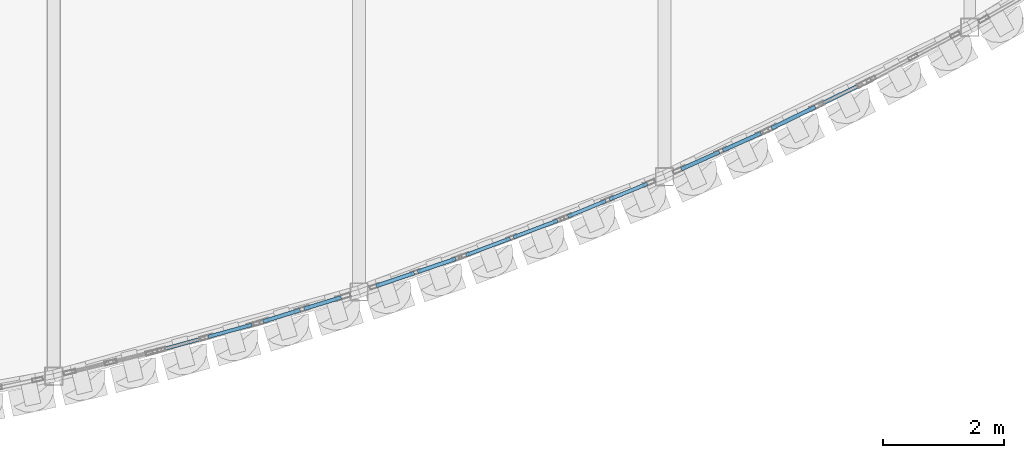
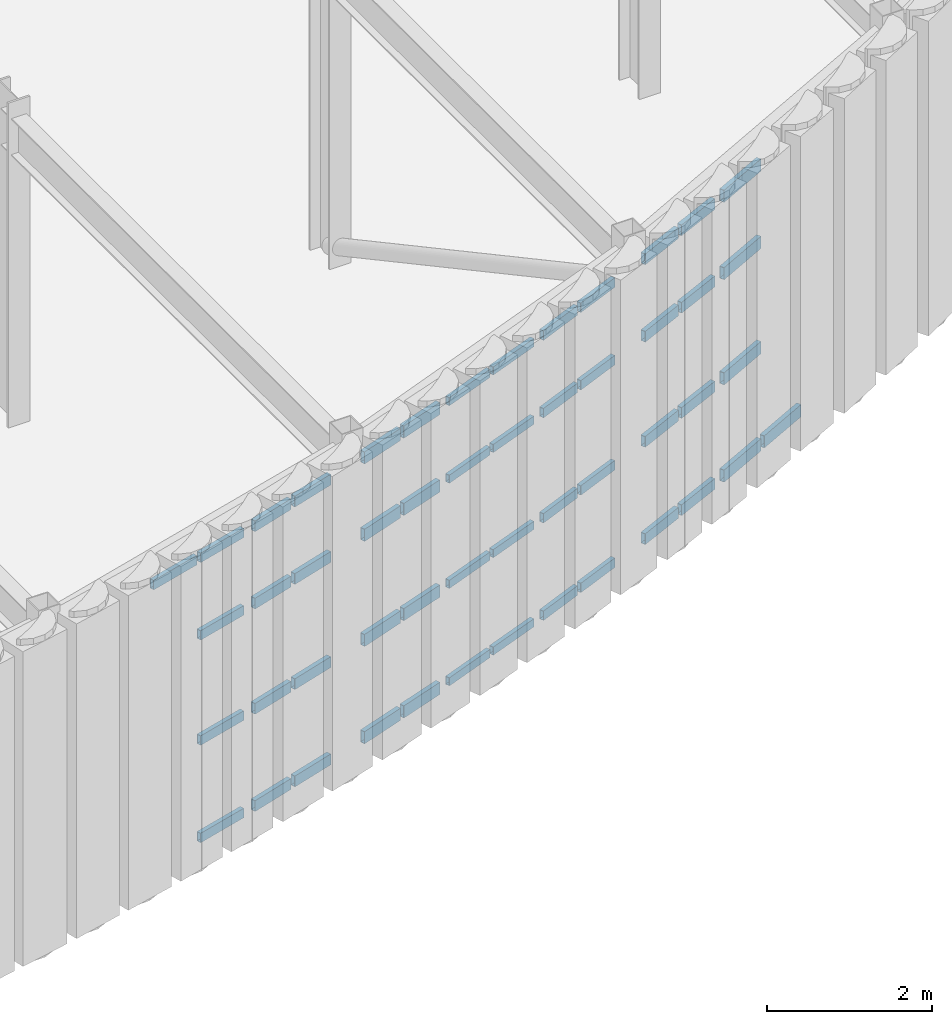
# One storey, part 71 of 121: 50 members, 7 elements without a shape of their own.
"""IFC4 building model written with IfcOpenShell, lengths in metres."""

from ifc_helpers import new_model, si_unit, direction, frame, origin, origin_2d, place, context, subcontext, project, spatial, hollow_rectangle, extrude, material, layer, layer_set, material_profile, profile_set, type_object, element, aggregate, save


model = new_model("IFC4")

# Units and contexts
model_context = context("Model", 3, precision=1e-05, world=origin(), true_north=direction((0.0, 1.0)))
body_context = subcontext(model_context, "Body", "Model", "MODEL_VIEW")
ifc_project = project(units=[si_unit("LENGTHUNIT", "METRE"), si_unit("AREAUNIT", "SQUARE_METRE"), si_unit("VOLUMEUNIT", "CUBIC_METRE"), si_unit("PLANEANGLEUNIT", "RADIAN"), si_unit("MASSUNIT", "GRAM", prefix="KILO")], contexts=[model_context])

# Site, building, storey
site_placement = place(None, origin())
site = spatial("IfcSite", under=ifc_project, at=site_placement, CompositionType="ELEMENT")
building_placement = place(site_placement, origin())
building = spatial("IfcBuilding", under=site, at=building_placement, Name="Solvadek Multi-Sports Hall", CompositionType="ELEMENT")
storey_placement = place(building_placement, frame((0.0, 0.0, 4.800048828125)))
storey = spatial("IfcBuildingStorey", under=building, at=storey_placement, Name="L01", CompositionType="ELEMENT", Elevation=4.800048828125)

# Curtain wall, members
ifc_material = material(Name="Anodised aluminium", Category="aluminium")
ifc_layer_1 = layer(ifc_material, 0.159912109375, Name="Anodised aluminium")
ifc_layer_set_1 = layer_set([ifc_layer_1], Name="Anodised aluminium")
curtain_wall_type_1 = type_object("IfcCurtainWallType", Name="ENV-CW-174X420", PredefinedType="USERDEFINED", material=ifc_layer_set_1)
curtain_wall_1_placement = place(storey_placement, origin())
curtain_wall_1 = element("IfcCurtainWall", 1, at=curtain_wall_1_placement, inside=storey, type_object=curtain_wall_type_1, Name="L01 Crescent Curved Curtain Wall #87", ObjectType="CURTAIN WALL", PredefinedType="USERDEFINED")
ifc_material_profile_1 = material_profile(ifc_material, hollow_rectangle(XDim=0.06005859375, YDim=0.1201171875, WallThickness=0.00390625, at=origin_2d()), Name="ALU-T 120x60x4")
ifc_profile_set_1 = profile_set([ifc_material_profile_1], Name="Anodised aluminium")
member_type_1 = type_object("IfcMemberType", Name="ENV-CWT-01", PredefinedType="USERDEFINED", material=ifc_profile_set_1)
member_1_placement = place(storey_placement, frame((113.3642578125, -9.739990234375, 0.030029296875), z_axis=(0.935799179409, 0.35253353857, 0.0), x_axis=(-0.35253353857, 0.935799179409, 0.0)))
member_1 = element("IfcMember", 2, at=member_1_placement, type_object=member_type_1, Name="CW-12 transom 1.1", ObjectType="TRANSOM", PredefinedType="USERDEFINED", context=body_context, shape_type="SweptSolid", body=[
    extrude(hollow_rectangle(XDim=0.06005859375, YDim=0.1201171875, WallThickness=0.00390625, at=origin_2d()), origin(), (0.0, 0.0, 1.0), 0.77783203125),
])
member_2_placement = place(storey_placement, frame((113.3642578125, -9.739990234375, 1.469970703125), z_axis=(0.935799179409, 0.35253353857, 0.0), x_axis=(-0.35253353857, 0.935799179409, 0.0)))
member_2 = element("IfcMember", 3, at=member_2_placement, type_object=member_type_1, Name="CW-12 transom 1.2", ObjectType="TRANSOM", PredefinedType="USERDEFINED", context=body_context, shape_type="SweptSolid", body=[
    extrude(hollow_rectangle(XDim=0.06005859375, YDim=0.1201171875, WallThickness=0.00390625, at=origin_2d()), origin(), (0.0, 0.0, 1.0), 0.77783203125),
])
member_3_placement = place(storey_placement, frame((113.3642578125, -9.739990234375, 3.02392578125), z_axis=(0.935799179409, 0.35253353857, 0.0), x_axis=(-0.35253353857, 0.935799179409, 0.0)))
member_3 = element("IfcMember", 4, at=member_3_placement, type_object=member_type_1, Name="CW-12 transom 1.3", ObjectType="TRANSOM", PredefinedType="USERDEFINED", context=body_context, shape_type="SweptSolid", body=[
    extrude(hollow_rectangle(XDim=0.06005859375, YDim=0.1201171875, WallThickness=0.00390625, at=origin_2d()), origin(), (0.0, 0.0, 1.0), 0.77783203125),
])
member_4_placement = place(storey_placement, frame((113.3642578125, -9.739990234375, 4.169921875), z_axis=(0.935799179409, 0.35253353857, 0.0), x_axis=(-0.35253353857, 0.935799179409, 0.0)))
member_4 = element("IfcMember", 5, at=member_4_placement, type_object=member_type_1, Name="CW-12 transom 1.4", ObjectType="TRANSOM", PredefinedType="USERDEFINED", context=body_context, shape_type="SweptSolid", body=[
    extrude(hollow_rectangle(XDim=0.06005859375, YDim=0.1201171875, WallThickness=0.00390625, at=origin_2d()), origin(), (0.0, 0.0, 1.0), 0.77783203125),
])
member_5_placement = place(storey_placement, frame((114.148193359375, -9.444580078125, 0.030029296875), z_axis=(0.935760148114, 0.352637129642, 0.0), x_axis=(-0.352637129642, 0.935760148114, 0.0)))
member_5 = element("IfcMember", 6, at=member_5_placement, type_object=member_type_1, Name="CW-12 transom 2.1", ObjectType="TRANSOM", PredefinedType="USERDEFINED", context=body_context, shape_type="SweptSolid", body=[
    extrude(hollow_rectangle(XDim=0.06005859375, YDim=0.1201171875, WallThickness=0.00390625, at=origin_2d()), origin(), (0.0, 0.0, 1.0), 0.777587890625),
])
member_6_placement = place(storey_placement, frame((114.148193359375, -9.444580078125, 1.469970703125), z_axis=(0.935760148114, 0.352637129642, 0.0), x_axis=(-0.352637129642, 0.935760148114, 0.0)))
member_6 = element("IfcMember", 7, at=member_6_placement, type_object=member_type_1, Name="CW-12 transom 2.2", ObjectType="TRANSOM", PredefinedType="USERDEFINED", context=body_context, shape_type="SweptSolid", body=[
    extrude(hollow_rectangle(XDim=0.06005859375, YDim=0.1201171875, WallThickness=0.00390625, at=origin_2d()), origin(), (0.0, 0.0, 1.0), 0.777587890625),
])
member_7_placement = place(storey_placement, frame((114.148193359375, -9.444580078125, 3.02392578125), z_axis=(0.935760148114, 0.352637129642, 0.0), x_axis=(-0.352637129642, 0.935760148114, 0.0)))
member_7 = element("IfcMember", 8, at=member_7_placement, type_object=member_type_1, Name="CW-12 transom 2.3", ObjectType="TRANSOM", PredefinedType="USERDEFINED", context=body_context, shape_type="SweptSolid", body=[
    extrude(hollow_rectangle(XDim=0.06005859375, YDim=0.1201171875, WallThickness=0.00390625, at=origin_2d()), origin(), (0.0, 0.0, 1.0), 0.777587890625),
])
member_8_placement = place(storey_placement, frame((114.148193359375, -9.444580078125, 4.169921875), z_axis=(0.935760148114, 0.352637129642, 0.0), x_axis=(-0.352637129642, 0.935760148114, 0.0)))
member_8 = element("IfcMember", 9, at=member_8_placement, type_object=member_type_1, Name="CW-12 transom 2.4", ObjectType="TRANSOM", PredefinedType="USERDEFINED", context=body_context, shape_type="SweptSolid", body=[
    extrude(hollow_rectangle(XDim=0.06005859375, YDim=0.1201171875, WallThickness=0.00390625, at=origin_2d()), origin(), (0.0, 0.0, 1.0), 0.777587890625),
])
aggregate(curtain_wall_1, [member_1, member_2, member_3, member_4, member_5, member_6, member_7, member_8])

ifc_layer_2 = layer(ifc_material, 0.159912109375, Name="Anodised aluminium")
ifc_layer_set_2 = layer_set([ifc_layer_2], Name="Anodised aluminium")
curtain_wall_type_2 = type_object("IfcCurtainWallType", Name="ENV-CW-168X420", PredefinedType="USERDEFINED", material=ifc_layer_set_2)
curtain_wall_2_placement = place(storey_placement, origin())
curtain_wall_2 = element("IfcCurtainWall", 10, at=curtain_wall_2_placement, inside=storey, type_object=curtain_wall_type_2, Name="L01 Crescent Curved Curtain Wall #81", ObjectType="CURTAIN WALL", PredefinedType="USERDEFINED")
ifc_material_profile_2 = material_profile(ifc_material, hollow_rectangle(XDim=0.06005859375, YDim=0.139892578125, WallThickness=0.00390625, at=origin_2d()), Name="ALU-T 140x60x4")
ifc_profile_set_2 = profile_set([ifc_material_profile_2], Name="Anodised aluminium")
member_type_2 = type_object("IfcMemberType", Name="ENV-CWT-02", PredefinedType="USERDEFINED", material=ifc_profile_set_2)
member_9_placement = place(storey_placement, frame((108.33154296875, -11.30322265625, 4.169921875), z_axis=(0.964010024998, 0.265865890449, 0.0), x_axis=(-0.265865890449, 0.964010024998, 0.0)))
member_9 = element("IfcMember", 11, at=member_9_placement, type_object=member_type_2, Name="CW-22 transom 1.4", ObjectType="TRANSOM", PredefinedType="USERDEFINED", context=body_context, shape_type="SweptSolid", body=[
    extrude(hollow_rectangle(XDim=0.06005859375, YDim=0.139892578125, WallThickness=0.00390625, at=origin_2d()), origin(), (0.0, 0.0, 1.0), 0.743896484375),
])
member_10_placement = place(storey_placement, frame((109.111328125, -11.088134765625, 0.030029296875), z_axis=(0.964010024998, 0.265865890449, 0.0), x_axis=(-0.265865890449, 0.964010024998, 0.0)))
member_10 = element("IfcMember", 12, at=member_10_placement, type_object=member_type_2, Name="CW-22 transom 2.1", ObjectType="TRANSOM", PredefinedType="USERDEFINED", context=body_context, shape_type="SweptSolid", body=[
    extrude(hollow_rectangle(XDim=0.06005859375, YDim=0.139892578125, WallThickness=0.00390625, at=origin_2d()), origin(), (0.0, 0.0, 1.0), 0.743896484375),
])
member_11_placement = place(storey_placement, frame((109.111328125, -11.088134765625, 1.469970703125), z_axis=(0.964010024998, 0.265865890449, 0.0), x_axis=(-0.265865890449, 0.964010024998, 0.0)))
member_11 = element("IfcMember", 13, at=member_11_placement, type_object=member_type_2, Name="CW-22 transom 2.2", ObjectType="TRANSOM", PredefinedType="USERDEFINED", context=body_context, shape_type="SweptSolid", body=[
    extrude(hollow_rectangle(XDim=0.06005859375, YDim=0.139892578125, WallThickness=0.00390625, at=origin_2d()), origin(), (0.0, 0.0, 1.0), 0.743896484375),
])
member_12_placement = place(storey_placement, frame((109.111328125, -11.088134765625, 3.02392578125), z_axis=(0.964010024998, 0.265865890449, 0.0), x_axis=(-0.265865890449, 0.964010024998, 0.0)))
member_12 = element("IfcMember", 14, at=member_12_placement, type_object=member_type_2, Name="CW-22 transom 2.3", ObjectType="TRANSOM", PredefinedType="USERDEFINED", context=body_context, shape_type="SweptSolid", body=[
    extrude(hollow_rectangle(XDim=0.06005859375, YDim=0.139892578125, WallThickness=0.00390625, at=origin_2d()), origin(), (0.0, 0.0, 1.0), 0.743896484375),
])
member_13_placement = place(storey_placement, frame((109.111328125, -11.088134765625, 4.169921875), z_axis=(0.964010024998, 0.265865890449, 0.0), x_axis=(-0.265865890449, 0.964010024998, 0.0)))
member_13 = element("IfcMember", 15, at=member_13_placement, type_object=member_type_2, Name="CW-22 transom 2.4", ObjectType="TRANSOM", PredefinedType="USERDEFINED", context=body_context, shape_type="SweptSolid", body=[
    extrude(hollow_rectangle(XDim=0.06005859375, YDim=0.139892578125, WallThickness=0.00390625, at=origin_2d()), origin(), (0.0, 0.0, 1.0), 0.743896484375),
])
aggregate(curtain_wall_2, [member_9, member_10, member_11, member_12, member_13])

ifc_layer_3 = layer(ifc_material, 0.159912109375, Name="Anodised aluminium")
ifc_layer_set_3 = layer_set([ifc_layer_3], Name="Anodised aluminium")
curtain_wall_type_3 = type_object("IfcCurtainWallType", Name="ENV-CW-155X420", PredefinedType="USERDEFINED", material=ifc_layer_set_3)
curtain_wall_3_placement = place(storey_placement, origin())
curtain_wall_3 = element("IfcCurtainWall", 16, at=curtain_wall_3_placement, inside=storey, type_object=curtain_wall_type_3, Name="L01 Crescent Curved Curtain Wall #89", ObjectType="CURTAIN WALL", PredefinedType="USERDEFINED")
member_14_placement = place(storey_placement, frame((115.0478515625, -9.102294921875, 0.030029296875), z_axis=(0.924438601098, 0.381330922953, 0.0), x_axis=(-0.381330922953, 0.924438601098, 0.0)))
member_14 = element("IfcMember", 17, at=member_14_placement, type_object=member_type_2, Name="CW-18 transom 1.1", ObjectType="TRANSOM", PredefinedType="USERDEFINED", context=body_context, shape_type="SweptSolid", body=[
    extrude(hollow_rectangle(XDim=0.06005859375, YDim=0.139892578125, WallThickness=0.00390625, at=origin_2d()), origin(), (0.0, 0.0, 1.0), 0.676025390625),
])
member_15_placement = place(storey_placement, frame((115.0478515625, -9.102294921875, 1.469970703125), z_axis=(0.924438601098, 0.381330922953, 0.0), x_axis=(-0.381330922953, 0.924438601098, 0.0)))
member_15 = element("IfcMember", 18, at=member_15_placement, type_object=member_type_2, Name="CW-18 transom 1.2", ObjectType="TRANSOM", PredefinedType="USERDEFINED", context=body_context, shape_type="SweptSolid", body=[
    extrude(hollow_rectangle(XDim=0.06005859375, YDim=0.139892578125, WallThickness=0.00390625, at=origin_2d()), origin(), (0.0, 0.0, 1.0), 0.676025390625),
])
member_16_placement = place(storey_placement, frame((115.0478515625, -9.102294921875, 3.02392578125), z_axis=(0.924438601098, 0.381330922953, 0.0), x_axis=(-0.381330922953, 0.924438601098, 0.0)))
member_16 = element("IfcMember", 19, at=member_16_placement, type_object=member_type_2, Name="CW-18 transom 1.3", ObjectType="TRANSOM", PredefinedType="USERDEFINED", context=body_context, shape_type="SweptSolid", body=[
    extrude(hollow_rectangle(XDim=0.06005859375, YDim=0.139892578125, WallThickness=0.00390625, at=origin_2d()), origin(), (0.0, 0.0, 1.0), 0.676025390625),
])
member_17_placement = place(storey_placement, frame((115.0478515625, -9.102294921875, 4.169921875), z_axis=(0.924438601098, 0.381330922953, 0.0), x_axis=(-0.381330922953, 0.924438601098, 0.0)))
member_17 = element("IfcMember", 20, at=member_17_placement, type_object=member_type_2, Name="CW-18 transom 1.4", ObjectType="TRANSOM", PredefinedType="USERDEFINED", context=body_context, shape_type="SweptSolid", body=[
    extrude(hollow_rectangle(XDim=0.06005859375, YDim=0.139892578125, WallThickness=0.00390625, at=origin_2d()), origin(), (0.0, 0.0, 1.0), 0.676025390625),
])
member_18_placement = place(storey_placement, frame((115.73291015625, -8.819580078125, 0.030029296875), z_axis=(0.924438601098, 0.381330922953, 0.0), x_axis=(-0.381330922953, 0.924438601098, 0.0)))
member_18 = element("IfcMember", 21, at=member_18_placement, type_object=member_type_2, Name="CW-18 transom 2.1", ObjectType="TRANSOM", PredefinedType="USERDEFINED", context=body_context, shape_type="SweptSolid", body=[
    extrude(hollow_rectangle(XDim=0.06005859375, YDim=0.139892578125, WallThickness=0.00390625, at=origin_2d()), origin(), (0.0, 0.0, 1.0), 0.676025390625),
])
member_19_placement = place(storey_placement, frame((115.73291015625, -8.819580078125, 1.469970703125), z_axis=(0.924438601098, 0.381330922953, 0.0), x_axis=(-0.381330922953, 0.924438601098, 0.0)))
member_19 = element("IfcMember", 22, at=member_19_placement, type_object=member_type_2, Name="CW-18 transom 2.2", ObjectType="TRANSOM", PredefinedType="USERDEFINED", context=body_context, shape_type="SweptSolid", body=[
    extrude(hollow_rectangle(XDim=0.06005859375, YDim=0.139892578125, WallThickness=0.00390625, at=origin_2d()), origin(), (0.0, 0.0, 1.0), 0.676025390625),
])
member_20_placement = place(storey_placement, frame((115.73291015625, -8.819580078125, 3.02392578125), z_axis=(0.924438601098, 0.381330922953, 0.0), x_axis=(-0.381330922953, 0.924438601098, 0.0)))
member_20 = element("IfcMember", 23, at=member_20_placement, type_object=member_type_2, Name="CW-18 transom 2.3", ObjectType="TRANSOM", PredefinedType="USERDEFINED", context=body_context, shape_type="SweptSolid", body=[
    extrude(hollow_rectangle(XDim=0.06005859375, YDim=0.139892578125, WallThickness=0.00390625, at=origin_2d()), origin(), (0.0, 0.0, 1.0), 0.676025390625),
])
member_21_placement = place(storey_placement, frame((115.73291015625, -8.819580078125, 4.169921875), z_axis=(0.924438601098, 0.381330922953, 0.0), x_axis=(-0.381330922953, 0.924438601098, 0.0)))
member_21 = element("IfcMember", 24, at=member_21_placement, type_object=member_type_2, Name="CW-18 transom 2.4", ObjectType="TRANSOM", PredefinedType="USERDEFINED", context=body_context, shape_type="SweptSolid", body=[
    extrude(hollow_rectangle(XDim=0.06005859375, YDim=0.139892578125, WallThickness=0.00390625, at=origin_2d()), origin(), (0.0, 0.0, 1.0), 0.676025390625),
])
aggregate(curtain_wall_3, [member_14, member_15, member_16, member_17, member_18, member_19, member_20, member_21])

ifc_layer_4 = layer(ifc_material, 0.159912109375, Name="Anodised aluminium")
ifc_layer_set_4 = layer_set([ifc_layer_4], Name="Anodised aluminium")
curtain_wall_type_4 = type_object("IfcCurtainWallType", Name="ENV-CW-149X420", PredefinedType="USERDEFINED", material=ifc_layer_set_4)
curtain_wall_4_placement = place(storey_placement, origin())
curtain_wall_4 = element("IfcCurtainWall", 25, at=curtain_wall_4_placement, inside=storey, type_object=curtain_wall_type_4, Name="L01 Crescent Curved Curtain Wall #83", ObjectType="CURTAIN WALL", PredefinedType="USERDEFINED")
ifc_material_profile_3 = material_profile(ifc_material, hollow_rectangle(XDim=0.06494140625, YDim=0.159912109375, WallThickness=0.00390625, at=origin_2d()), Name="ALU-T 160x65x4")
ifc_profile_set_3 = profile_set([ifc_material_profile_3], Name="Anodised aluminium")
member_type_3 = type_object("IfcMemberType", Name="ENV-CWT-03", PredefinedType="USERDEFINED", material=ifc_profile_set_3)
member_22_placement = place(storey_placement, frame((110.015625, -10.83544921875, 0.032470703125), z_axis=(0.955514283321, 0.294944832756, 0.0), x_axis=(-0.294944832756, 0.955514283321, 0.0)))
member_22 = element("IfcMember", 26, at=member_22_placement, type_object=member_type_3, Name="CW-21 transom 1.1", ObjectType="TRANSOM", PredefinedType="USERDEFINED", context=body_context, shape_type="SweptSolid", body=[
    extrude(hollow_rectangle(XDim=0.06494140625, YDim=0.159912109375, WallThickness=0.00390625, at=origin_2d()), origin(), (0.0, 0.0, 1.0), 0.638916015625),
])
member_23_placement = place(storey_placement, frame((110.015625, -10.83544921875, 1.469970703125), z_axis=(0.955514283321, 0.294944832756, 0.0), x_axis=(-0.294944832756, 0.955514283321, 0.0)))
member_23 = element("IfcMember", 27, at=member_23_placement, type_object=member_type_3, Name="CW-21 transom 1.2", ObjectType="TRANSOM", PredefinedType="USERDEFINED", context=body_context, shape_type="SweptSolid", body=[
    extrude(hollow_rectangle(XDim=0.06494140625, YDim=0.159912109375, WallThickness=0.00390625, at=origin_2d()), origin(), (0.0, 0.0, 1.0), 0.638916015625),
])
member_24_placement = place(storey_placement, frame((110.015625, -10.83544921875, 3.02392578125), z_axis=(0.955514283321, 0.294944832756, 0.0), x_axis=(-0.294944832756, 0.955514283321, 0.0)))
member_24 = element("IfcMember", 28, at=member_24_placement, type_object=member_type_3, Name="CW-21 transom 1.3", ObjectType="TRANSOM", PredefinedType="USERDEFINED", context=body_context, shape_type="SweptSolid", body=[
    extrude(hollow_rectangle(XDim=0.06494140625, YDim=0.159912109375, WallThickness=0.00390625, at=origin_2d()), origin(), (0.0, 0.0, 1.0), 0.638916015625),
])
member_25_placement = place(storey_placement, frame((110.015625, -10.83544921875, 4.16748046875), z_axis=(0.955514283321, 0.294944832756, 0.0), x_axis=(-0.294944832756, 0.955514283321, 0.0)))
member_25 = element("IfcMember", 29, at=member_25_placement, type_object=member_type_3, Name="CW-21 transom 1.4", ObjectType="TRANSOM", PredefinedType="USERDEFINED", context=body_context, shape_type="SweptSolid", body=[
    extrude(hollow_rectangle(XDim=0.06494140625, YDim=0.159912109375, WallThickness=0.00390625, at=origin_2d()), origin(), (0.0, 0.0, 1.0), 0.638916015625),
])
member_26_placement = place(storey_placement, frame((110.693115234375, -10.62646484375, 0.032470703125), z_axis=(0.955514283321, 0.294944832756, 0.0), x_axis=(-0.294944832756, 0.955514283321, 0.0)))
member_26 = element("IfcMember", 30, at=member_26_placement, type_object=member_type_3, Name="CW-21 transom 2.1", ObjectType="TRANSOM", PredefinedType="USERDEFINED", context=body_context, shape_type="SweptSolid", body=[
    extrude(hollow_rectangle(XDim=0.06494140625, YDim=0.159912109375, WallThickness=0.00390625, at=origin_2d()), origin(), (0.0, 0.0, 1.0), 0.638916015625),
])
member_27_placement = place(storey_placement, frame((110.693115234375, -10.62646484375, 1.469970703125), z_axis=(0.955514283321, 0.294944832756, 0.0), x_axis=(-0.294944832756, 0.955514283321, 0.0)))
member_27 = element("IfcMember", 31, at=member_27_placement, type_object=member_type_3, Name="CW-21 transom 2.2", ObjectType="TRANSOM", PredefinedType="USERDEFINED", context=body_context, shape_type="SweptSolid", body=[
    extrude(hollow_rectangle(XDim=0.06494140625, YDim=0.159912109375, WallThickness=0.00390625, at=origin_2d()), origin(), (0.0, 0.0, 1.0), 0.638916015625),
])
member_28_placement = place(storey_placement, frame((110.693115234375, -10.62646484375, 3.02392578125), z_axis=(0.955514283321, 0.294944832756, 0.0), x_axis=(-0.294944832756, 0.955514283321, 0.0)))
member_28 = element("IfcMember", 32, at=member_28_placement, type_object=member_type_3, Name="CW-21 transom 2.3", ObjectType="TRANSOM", PredefinedType="USERDEFINED", context=body_context, shape_type="SweptSolid", body=[
    extrude(hollow_rectangle(XDim=0.06494140625, YDim=0.159912109375, WallThickness=0.00390625, at=origin_2d()), origin(), (0.0, 0.0, 1.0), 0.638916015625),
])
member_29_placement = place(storey_placement, frame((110.693115234375, -10.62646484375, 4.16748046875), z_axis=(0.955514283321, 0.294944832756, 0.0), x_axis=(-0.294944832756, 0.955514283321, 0.0)))
member_29 = element("IfcMember", 33, at=member_29_placement, type_object=member_type_3, Name="CW-21 transom 2.4", ObjectType="TRANSOM", PredefinedType="USERDEFINED", context=body_context, shape_type="SweptSolid", body=[
    extrude(hollow_rectangle(XDim=0.06494140625, YDim=0.159912109375, WallThickness=0.00390625, at=origin_2d()), origin(), (0.0, 0.0, 1.0), 0.638916015625),
])
aggregate(curtain_wall_4, [member_22, member_23, member_24, member_25, member_26, member_27, member_28, member_29])

ifc_layer_5 = layer(ifc_material, 0.159912109375, Name="Anodised aluminium")
ifc_layer_set_5 = layer_set([ifc_layer_5], Name="Anodised aluminium")
curtain_wall_type_5 = type_object("IfcCurtainWallType", Name="ENV-CW-157X420", PredefinedType="USERDEFINED", material=ifc_layer_set_5)
curtain_wall_5_placement = place(storey_placement, origin())
curtain_wall_5 = element("IfcCurtainWall", 34, at=curtain_wall_5_placement, inside=storey, type_object=curtain_wall_type_5, Name="L01 Crescent Curved Curtain Wall #91", ObjectType="CURTAIN WALL", PredefinedType="USERDEFINED")
member_30_placement = place(storey_placement, frame((116.918212890625, -8.320068359375, 0.032470703125), z_axis=(0.91197457367, 0.410246726958, 0.0), x_axis=(-0.410246726958, 0.91197457367, 0.0)))
member_30 = element("IfcMember", 35, at=member_30_placement, type_object=member_type_3, Name="CW-17 transom 1.1", ObjectType="TRANSOM", PredefinedType="USERDEFINED", context=body_context, shape_type="SweptSolid", body=[
    extrude(hollow_rectangle(XDim=0.06494140625, YDim=0.159912109375, WallThickness=0.00390625, at=origin_2d()), origin(), (0.0, 0.0, 1.0), 0.6884765625),
])
member_31_placement = place(storey_placement, frame((116.918212890625, -8.320068359375, 1.469970703125), z_axis=(0.91197457367, 0.410246726958, 0.0), x_axis=(-0.410246726958, 0.91197457367, 0.0)))
member_31 = element("IfcMember", 36, at=member_31_placement, type_object=member_type_3, Name="CW-17 transom 1.2", ObjectType="TRANSOM", PredefinedType="USERDEFINED", context=body_context, shape_type="SweptSolid", body=[
    extrude(hollow_rectangle(XDim=0.06494140625, YDim=0.159912109375, WallThickness=0.00390625, at=origin_2d()), origin(), (0.0, 0.0, 1.0), 0.6884765625),
])
member_32_placement = place(storey_placement, frame((116.918212890625, -8.320068359375, 3.02392578125), z_axis=(0.91197457367, 0.410246726958, 0.0), x_axis=(-0.410246726958, 0.91197457367, 0.0)))
member_32 = element("IfcMember", 37, at=member_32_placement, type_object=member_type_3, Name="CW-17 transom 1.3", ObjectType="TRANSOM", PredefinedType="USERDEFINED", context=body_context, shape_type="SweptSolid", body=[
    extrude(hollow_rectangle(XDim=0.06494140625, YDim=0.159912109375, WallThickness=0.00390625, at=origin_2d()), origin(), (0.0, 0.0, 1.0), 0.6884765625),
])
member_33_placement = place(storey_placement, frame((116.918212890625, -8.320068359375, 4.16748046875), z_axis=(0.91197457367, 0.410246726958, 0.0), x_axis=(-0.410246726958, 0.91197457367, 0.0)))
member_33 = element("IfcMember", 38, at=member_33_placement, type_object=member_type_3, Name="CW-17 transom 1.4", ObjectType="TRANSOM", PredefinedType="USERDEFINED", context=body_context, shape_type="SweptSolid", body=[
    extrude(hollow_rectangle(XDim=0.06494140625, YDim=0.159912109375, WallThickness=0.00390625, at=origin_2d()), origin(), (0.0, 0.0, 1.0), 0.6884765625),
])
member_34_placement = place(storey_placement, frame((117.60546875, -8.0107421875, 0.032470703125), z_axis=(0.91197457367, 0.410246726958, 0.0), x_axis=(-0.410246726958, 0.91197457367, 0.0)))
member_34 = element("IfcMember", 39, at=member_34_placement, type_object=member_type_3, Name="CW-17 transom 2.1", ObjectType="TRANSOM", PredefinedType="USERDEFINED", context=body_context, shape_type="SweptSolid", body=[
    extrude(hollow_rectangle(XDim=0.06494140625, YDim=0.159912109375, WallThickness=0.00390625, at=origin_2d()), origin(), (0.0, 0.0, 1.0), 0.6884765625),
])
member_35_placement = place(storey_placement, frame((117.60546875, -8.0107421875, 1.469970703125), z_axis=(0.91197457367, 0.410246726958, 0.0), x_axis=(-0.410246726958, 0.91197457367, 0.0)))
member_35 = element("IfcMember", 40, at=member_35_placement, type_object=member_type_3, Name="CW-17 transom 2.2", ObjectType="TRANSOM", PredefinedType="USERDEFINED", context=body_context, shape_type="SweptSolid", body=[
    extrude(hollow_rectangle(XDim=0.06494140625, YDim=0.159912109375, WallThickness=0.00390625, at=origin_2d()), origin(), (0.0, 0.0, 1.0), 0.6884765625),
])
member_36_placement = place(storey_placement, frame((117.60546875, -8.0107421875, 3.02392578125), z_axis=(0.91197457367, 0.410246726958, 0.0), x_axis=(-0.410246726958, 0.91197457367, 0.0)))
member_36 = element("IfcMember", 41, at=member_36_placement, type_object=member_type_3, Name="CW-17 transom 2.3", ObjectType="TRANSOM", PredefinedType="USERDEFINED", context=body_context, shape_type="SweptSolid", body=[
    extrude(hollow_rectangle(XDim=0.06494140625, YDim=0.159912109375, WallThickness=0.00390625, at=origin_2d()), origin(), (0.0, 0.0, 1.0), 0.6884765625),
])
member_37_placement = place(storey_placement, frame((117.60546875, -8.0107421875, 4.16748046875), z_axis=(0.91197457367, 0.410246726958, 0.0), x_axis=(-0.410246726958, 0.91197457367, 0.0)))
member_37 = element("IfcMember", 42, at=member_37_placement, type_object=member_type_3, Name="CW-17 transom 2.4", ObjectType="TRANSOM", PredefinedType="USERDEFINED", context=body_context, shape_type="SweptSolid", body=[
    extrude(hollow_rectangle(XDim=0.06494140625, YDim=0.159912109375, WallThickness=0.00390625, at=origin_2d()), origin(), (0.0, 0.0, 1.0), 0.6884765625),
])
aggregate(curtain_wall_5, [member_30, member_31, member_32, member_33, member_34, member_35, member_36, member_37])

ifc_layer_6 = layer(ifc_material, 0.159912109375, Name="Anodised aluminium")
ifc_layer_set_6 = layer_set([ifc_layer_6], Name="Anodised aluminium")
curtain_wall_type_6 = type_object("IfcCurtainWallType", Name="ENV-CW-151X420", PredefinedType="USERDEFINED", material=ifc_layer_set_6)
curtain_wall_6_placement = place(storey_placement, origin())
curtain_wall_6 = element("IfcCurtainWall", 43, at=curtain_wall_6_placement, inside=storey, type_object=curtain_wall_type_6, Name="L01 Crescent Curved Curtain Wall #85", ObjectType="CURTAIN WALL", PredefinedType="USERDEFINED")
ifc_material_profile_4 = material_profile(ifc_material, hollow_rectangle(XDim=0.06494140625, YDim=0.179931640625, WallThickness=0.0048828125, at=origin_2d()), Name="ALU-T 180x65x5")
ifc_profile_set_4 = profile_set([ifc_material_profile_4], Name="Anodised aluminium")
member_type_4 = type_object("IfcMemberType", Name="ENV-CWT-04", PredefinedType="USERDEFINED", material=ifc_profile_set_4)
member_38_placement = place(storey_placement, frame((111.8837890625, -10.249267578125, 0.032470703125), z_axis=(0.946261906447, 0.323401305512, 0.0), x_axis=(-0.323401305512, 0.946261906447, 0.0)))
member_38 = element("IfcMember", 44, at=member_38_placement, type_object=member_type_4, Name="CW-20 transom 1.1", ObjectType="TRANSOM", PredefinedType="USERDEFINED", context=body_context, shape_type="SweptSolid", body=[
    extrude(hollow_rectangle(XDim=0.06494140625, YDim=0.179931640625, WallThickness=0.0048828125, at=origin_2d()), origin(), (0.0, 0.0, 1.0), 0.662841796875),
])
member_39_placement = place(storey_placement, frame((111.8837890625, -10.249267578125, 1.469970703125), z_axis=(0.946261906447, 0.323401305512, 0.0), x_axis=(-0.323401305512, 0.946261906447, 0.0)))
member_39 = element("IfcMember", 45, at=member_39_placement, type_object=member_type_4, Name="CW-20 transom 1.2", ObjectType="TRANSOM", PredefinedType="USERDEFINED", context=body_context, shape_type="SweptSolid", body=[
    extrude(hollow_rectangle(XDim=0.06494140625, YDim=0.179931640625, WallThickness=0.0048828125, at=origin_2d()), origin(), (0.0, 0.0, 1.0), 0.662841796875),
])
member_40_placement = place(storey_placement, frame((111.8837890625, -10.249267578125, 3.02392578125), z_axis=(0.946261906447, 0.323401305512, 0.0), x_axis=(-0.323401305512, 0.946261906447, 0.0)))
member_40 = element("IfcMember", 46, at=member_40_placement, type_object=member_type_4, Name="CW-20 transom 1.3", ObjectType="TRANSOM", PredefinedType="USERDEFINED", context=body_context, shape_type="SweptSolid", body=[
    extrude(hollow_rectangle(XDim=0.06494140625, YDim=0.179931640625, WallThickness=0.0048828125, at=origin_2d()), origin(), (0.0, 0.0, 1.0), 0.662841796875),
])
member_41_placement = place(storey_placement, frame((111.8837890625, -10.249267578125, 4.16748046875), z_axis=(0.946261906447, 0.323401305512, 0.0), x_axis=(-0.323401305512, 0.946261906447, 0.0)))
member_41 = element("IfcMember", 47, at=member_41_placement, type_object=member_type_4, Name="CW-20 transom 1.4", ObjectType="TRANSOM", PredefinedType="USERDEFINED", context=body_context, shape_type="SweptSolid", body=[
    extrude(hollow_rectangle(XDim=0.06494140625, YDim=0.179931640625, WallThickness=0.0048828125, at=origin_2d()), origin(), (0.0, 0.0, 1.0), 0.662841796875),
])
member_42_placement = place(storey_placement, frame((112.567626953125, -10.015380859375, 0.032470703125), z_axis=(0.946149142572, 0.323731061238, 0.0), x_axis=(-0.323731061238, 0.946149142572, 0.0)))
member_42 = element("IfcMember", 48, at=member_42_placement, type_object=member_type_4, Name="CW-20 transom 2.1", ObjectType="TRANSOM", PredefinedType="USERDEFINED", context=body_context, shape_type="SweptSolid", body=[
    extrude(hollow_rectangle(XDim=0.06494140625, YDim=0.179931640625, WallThickness=0.0048828125, at=origin_2d()), origin(), (0.0, 0.0, 1.0), 0.662841796875),
])
member_43_placement = place(storey_placement, frame((112.567626953125, -10.015380859375, 1.469970703125), z_axis=(0.946149142572, 0.323731061238, 0.0), x_axis=(-0.323731061238, 0.946149142572, 0.0)))
member_43 = element("IfcMember", 49, at=member_43_placement, type_object=member_type_4, Name="CW-20 transom 2.2", ObjectType="TRANSOM", PredefinedType="USERDEFINED", context=body_context, shape_type="SweptSolid", body=[
    extrude(hollow_rectangle(XDim=0.06494140625, YDim=0.179931640625, WallThickness=0.0048828125, at=origin_2d()), origin(), (0.0, 0.0, 1.0), 0.662841796875),
])
member_44_placement = place(storey_placement, frame((112.567626953125, -10.015380859375, 3.02392578125), z_axis=(0.946149142572, 0.323731061238, 0.0), x_axis=(-0.323731061238, 0.946149142572, 0.0)))
member_44 = element("IfcMember", 50, at=member_44_placement, type_object=member_type_4, Name="CW-20 transom 2.3", ObjectType="TRANSOM", PredefinedType="USERDEFINED", context=body_context, shape_type="SweptSolid", body=[
    extrude(hollow_rectangle(XDim=0.06494140625, YDim=0.179931640625, WallThickness=0.0048828125, at=origin_2d()), origin(), (0.0, 0.0, 1.0), 0.662841796875),
])
member_45_placement = place(storey_placement, frame((112.567626953125, -10.015380859375, 4.16748046875), z_axis=(0.946149142572, 0.323731061238, 0.0), x_axis=(-0.323731061238, 0.946149142572, 0.0)))
member_45 = element("IfcMember", 51, at=member_45_placement, type_object=member_type_4, Name="CW-20 transom 2.4", ObjectType="TRANSOM", PredefinedType="USERDEFINED", context=body_context, shape_type="SweptSolid", body=[
    extrude(hollow_rectangle(XDim=0.06494140625, YDim=0.179931640625, WallThickness=0.0048828125, at=origin_2d()), origin(), (0.0, 0.0, 1.0), 0.662841796875),
])
aggregate(curtain_wall_6, [member_38, member_39, member_40, member_41, member_42, member_43, member_44, member_45])

ifc_layer_7 = layer(ifc_material, 0.159912109375, Name="Anodised aluminium")
ifc_layer_set_7 = layer_set([ifc_layer_7], Name="Anodised aluminium")
curtain_wall_type_7 = type_object("IfcCurtainWallType", Name="ENV-CW-181X420", PredefinedType="USERDEFINED", material=ifc_layer_set_7)
curtain_wall_7_placement = place(storey_placement, origin())
curtain_wall_7 = element("IfcCurtainWall", 52, at=curtain_wall_7_placement, inside=storey, type_object=curtain_wall_type_7, Name="L01 Crescent Curved Curtain Wall #93", ObjectType="CURTAIN WALL", PredefinedType="USERDEFINED")
member_46_placement = place(storey_placement, frame((118.409912109375, -7.645263671875, 0.032470703125), z_axis=(0.898419144267, 0.439138977106, 0.0), x_axis=(-0.439138977106, 0.898419144267, 0.0)))
member_46 = element("IfcMember", 53, at=member_46_placement, type_object=member_type_4, Name="CW-16 transom 1.1", ObjectType="TRANSOM", PredefinedType="USERDEFINED", context=body_context, shape_type="SweptSolid", body=[
    extrude(hollow_rectangle(XDim=0.06494140625, YDim=0.179931640625, WallThickness=0.0048828125, at=origin_2d()), origin(), (0.0, 0.0, 1.0), 0.800048828125),
])
member_47_placement = place(storey_placement, frame((118.409912109375, -7.645263671875, 1.469970703125), z_axis=(0.898419144267, 0.439138977106, 0.0), x_axis=(-0.439138977106, 0.898419144267, 0.0)))
member_47 = element("IfcMember", 54, at=member_47_placement, type_object=member_type_4, Name="CW-16 transom 1.2", ObjectType="TRANSOM", PredefinedType="USERDEFINED", context=body_context, shape_type="SweptSolid", body=[
    extrude(hollow_rectangle(XDim=0.06494140625, YDim=0.179931640625, WallThickness=0.0048828125, at=origin_2d()), origin(), (0.0, 0.0, 1.0), 0.800048828125),
])
member_48_placement = place(storey_placement, frame((118.409912109375, -7.645263671875, 3.02392578125), z_axis=(0.898419144267, 0.439138977106, 0.0), x_axis=(-0.439138977106, 0.898419144267, 0.0)))
member_48 = element("IfcMember", 55, at=member_48_placement, type_object=member_type_4, Name="CW-16 transom 1.3", ObjectType="TRANSOM", PredefinedType="USERDEFINED", context=body_context, shape_type="SweptSolid", body=[
    extrude(hollow_rectangle(XDim=0.06494140625, YDim=0.179931640625, WallThickness=0.0048828125, at=origin_2d()), origin(), (0.0, 0.0, 1.0), 0.800048828125),
])
member_49_placement = place(storey_placement, frame((118.409912109375, -7.645263671875, 4.16748046875), z_axis=(0.898419144267, 0.439138977106, 0.0), x_axis=(-0.439138977106, 0.898419144267, 0.0)))
member_49 = element("IfcMember", 56, at=member_49_placement, type_object=member_type_4, Name="CW-16 transom 1.4", ObjectType="TRANSOM", PredefinedType="USERDEFINED", context=body_context, shape_type="SweptSolid", body=[
    extrude(hollow_rectangle(XDim=0.06494140625, YDim=0.179931640625, WallThickness=0.0048828125, at=origin_2d()), origin(), (0.0, 0.0, 1.0), 0.800048828125),
])
member_50_placement = place(storey_placement, frame((119.19140625, -7.26318359375, 0.032470703125), z_axis=(0.898419144267, 0.439138977106, 0.0), x_axis=(-0.439138977106, 0.898419144267, 0.0)))
member_50 = element("IfcMember", 57, at=member_50_placement, type_object=member_type_4, Name="CW-16 transom 2.1", ObjectType="TRANSOM", PredefinedType="USERDEFINED", context=body_context, shape_type="SweptSolid", body=[
    extrude(hollow_rectangle(XDim=0.06494140625, YDim=0.179931640625, WallThickness=0.0048828125, at=origin_2d()), origin(), (0.0, 0.0, 1.0), 0.800048828125),
])
aggregate(curtain_wall_7, [member_46, member_47, member_48, member_49, member_50])

save(model, "model.ifc")
